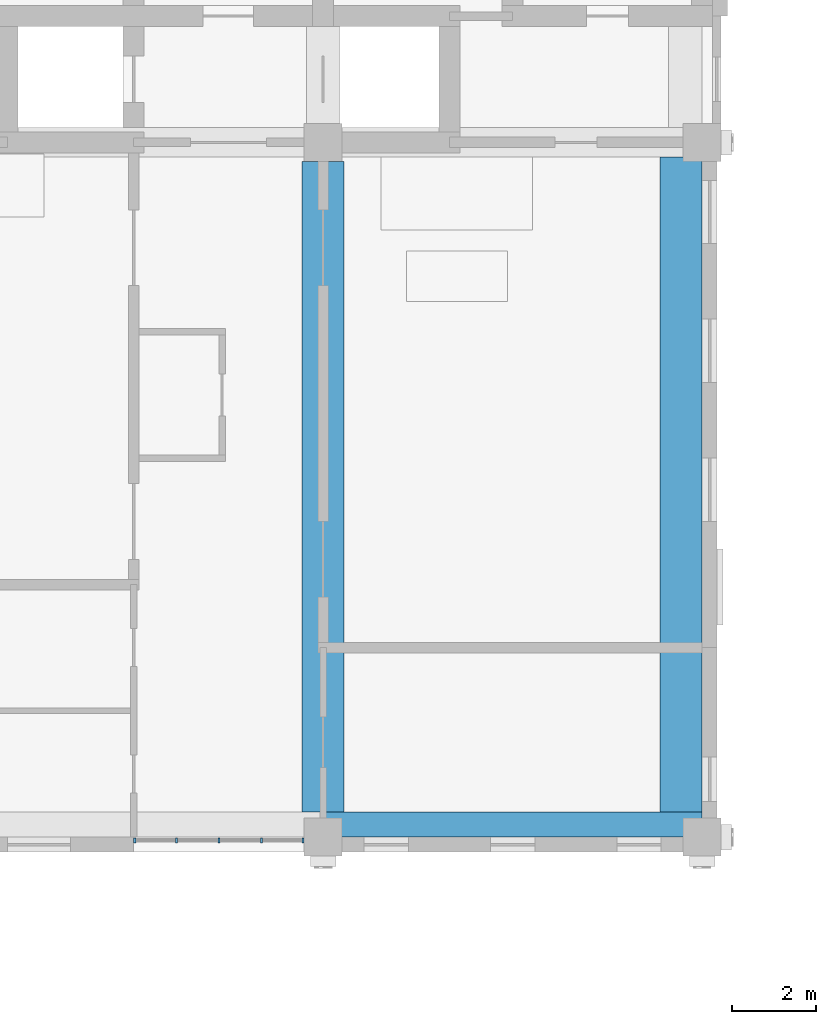
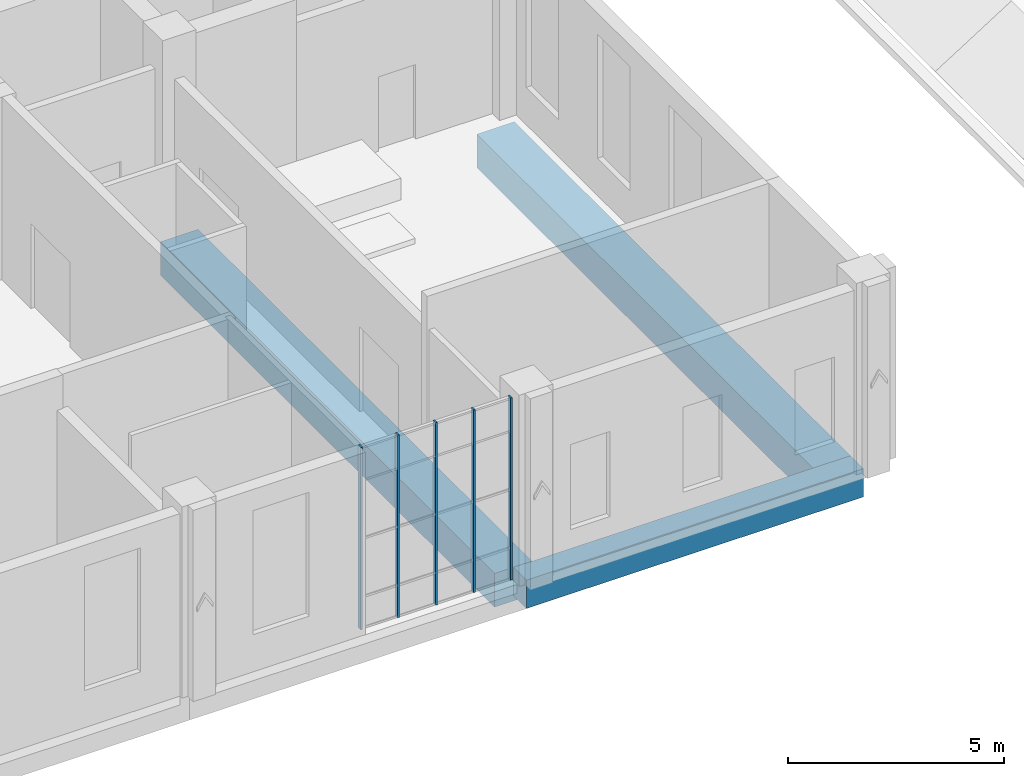
# One storey, part 4 of 25: 5 members, 3 beams, 1 element without a shape of its own.
"""IFC4 building model written with IfcOpenShell, lengths in metres."""

from ifc_helpers import new_model, si_unit, direction, frame, origin, origin_2d, place, context, subcontext, project, spatial, rectangle, extrude, material, layer, layer_set, material_profile, profile_set, type_object, element, aggregate, save


model = new_model("IFC4")

# Units and contexts
model_context = context("Model", 3, precision=1e-05, world=origin(), true_north=direction((0.0, 1.0)))
body_context = subcontext(model_context, "Body", "Model", "MODEL_VIEW")
ifc_project = project(units=[si_unit("LENGTHUNIT", "METRE"), si_unit("AREAUNIT", "SQUARE_METRE"), si_unit("VOLUMEUNIT", "CUBIC_METRE"), si_unit("PLANEANGLEUNIT", "RADIAN"), si_unit("MASSUNIT", "GRAM", prefix="KILO")], contexts=[model_context])

# Site, building, storey
site_placement = place(None, origin())
site = spatial("IfcSite", under=ifc_project, at=site_placement, CompositionType="ELEMENT")
building_placement = place(site_placement, origin())
building = spatial("IfcBuilding", under=site, at=building_placement, Name="Aurelan Courthouse", CompositionType="ELEMENT")
storey_placement = place(building_placement, frame((0.0, 0.0, 33.60009765625)))
storey = spatial("IfcBuildingStorey", under=building, at=storey_placement, Name="L06", CompositionType="ELEMENT", Elevation=33.60009765625)

# Curtain wall, members
ifc_material_1 = material(Name="Bronze-finished aluminium and glass", Category="aluminium")
ifc_layer = layer(ifc_material_1, 0.14990234375)
ifc_layer_set = layer_set([ifc_layer], Name="Bronze-finished aluminium and glass")
curtain_wall_type = type_object("IfcCurtainWallType", Name="Curtain wall 4050 x 5150", PredefinedType="NOTDEFINED", material=ifc_layer_set)
curtain_wall_placement = place(storey_placement, origin())
curtain_wall = element("IfcCurtainWall", 1, at=curtain_wall_placement, inside=storey, type_object=curtain_wall_type, Name="Curtain wall CW-V2-L06-S01", PredefinedType="NOTDEFINED")
ifc_material_2 = material(Name="Bronze-finished aluminium", Category="aluminium")
ifc_material_profile_1 = material_profile(ifc_material_2, rectangle(XDim=0.1201171875, YDim=0.050048828125, at=origin_2d()), Name="Bronze mullion 50 x 120")
ifc_profile_set_1 = profile_set([ifc_material_profile_1], Name="Bronze-finished aluminium")
member_type = type_object("IfcMemberType", Name="Curtain wall mullion 50 x 120", PredefinedType="MULLION", material=ifc_profile_set_1)
member_1_placement = place(storey_placement, frame((49.52490234375, 37.425048828125, 0.0), z_axis=(0.0, 0.0, 1.0), x_axis=(0.0, 1.0, 0.0)))
member_1 = element("IfcMember", 2, at=member_1_placement, type_object=member_type, Name="CW-V2-L06-S01 mullion 1", PredefinedType="MULLION", context=body_context, shape_type="SweptSolid", body=[
    extrude(rectangle(XDim=0.1201171875, YDim=0.050048828125, at=origin_2d()), origin(), (0.0, 0.0, 1.0), 5.14990234375),
])
member_2_placement = place(storey_placement, frame((50.512451171875, 37.425048828125, 0.0), z_axis=(0.0, 0.0, 1.0), x_axis=(0.0, 1.0, 0.0)))
member_2 = element("IfcMember", 3, at=member_2_placement, type_object=member_type, Name="CW-V2-L06-S01 mullion 2", PredefinedType="MULLION", context=body_context, shape_type="SweptSolid", body=[
    extrude(rectangle(XDim=0.1201171875, YDim=0.050048828125, at=origin_2d()), origin(), (0.0, 0.0, 1.0), 5.14990234375),
])
member_3_placement = place(storey_placement, frame((51.52490234375, 37.425048828125, 0.0), z_axis=(0.0, 0.0, 1.0), x_axis=(0.0, 1.0, 0.0)))
member_3 = element("IfcMember", 4, at=member_3_placement, type_object=member_type, Name="CW-V2-L06-S01 mullion 3", PredefinedType="MULLION", context=body_context, shape_type="SweptSolid", body=[
    extrude(rectangle(XDim=0.1201171875, YDim=0.050048828125, at=origin_2d()), origin(), (0.0, 0.0, 1.0), 5.14990234375),
])
member_4_placement = place(storey_placement, frame((52.53759765625, 37.425048828125, 0.0), z_axis=(0.0, 0.0, 1.0), x_axis=(0.0, 1.0, 0.0)))
member_4 = element("IfcMember", 5, at=member_4_placement, type_object=member_type, Name="CW-V2-L06-S01 mullion 4", PredefinedType="MULLION", context=body_context, shape_type="SweptSolid", body=[
    extrude(rectangle(XDim=0.1201171875, YDim=0.050048828125, at=origin_2d()), origin(), (0.0, 0.0, 1.0), 5.14990234375),
])
member_5_placement = place(storey_placement, frame((53.52490234375, 37.425048828125, 0.0), z_axis=(0.0, 0.0, 1.0), x_axis=(0.0, 1.0, 0.0)))
member_5 = element("IfcMember", 6, at=member_5_placement, type_object=member_type, Name="CW-V2-L06-S01 mullion 5", PredefinedType="MULLION", context=body_context, shape_type="SweptSolid", body=[
    extrude(rectangle(XDim=0.1201171875, YDim=0.050048828125, at=origin_2d()), origin(), (0.0, 0.0, 1.0), 5.14990234375),
])
aggregate(curtain_wall, [member_1, member_2, member_3, member_4, member_5])

# Beams
ifc_material_3 = material(Name="Concrete C50", Category="concrete")
ifc_material_profile_2 = material_profile(ifc_material_3, rectangle(XDim=1.0, YDim=0.949951171875, at=origin_2d()), Name="RC 1000 x 950")
ifc_profile_set_2 = profile_set([ifc_material_profile_2], Name="Concrete C50")
beam_type_1 = type_object("IfcBeamType", Name="PT girder 1000 x 950", PredefinedType="BEAM", material=ifc_profile_set_2)
beam_1_placement = place(storey_placement, frame((54.0, 38.10009765625, -0.72509765625), z_axis=(0.0, 1.0, 0.0), x_axis=(-1.0, 0.0, 0.0)))
element("IfcBeam", 7, at=beam_1_placement, inside=storey, type_object=beam_type_1, Name="Girder GB-7DE", PredefinedType="BEAM", context=body_context, shape_type="SweptSolid", body=[
    extrude(rectangle(XDim=1.0, YDim=0.949951171875, at=origin_2d()), origin(), (0.0, 0.0, 1.0), 15.449951171875),
])
beam_2_placement = place(storey_placement, frame((62.5, 38.10009765625, -0.72509765625), z_axis=(0.0, 1.0, 0.0), x_axis=(-1.0, 0.0, 0.0)))
element("IfcBeam", 8, at=beam_2_placement, inside=storey, type_object=beam_type_1, Name="Girder GB-8DE-E", PredefinedType="BEAM", context=body_context, shape_type="SweptSolid", body=[
    extrude(rectangle(XDim=1.0, YDim=0.949951171875, at=origin_2d()), origin(), (0.0, 0.0, 1.0), 15.5498046875),
])
ifc_material_profile_3 = material_profile(ifc_material_3, rectangle(XDim=0.60009765625, YDim=0.800048828125, at=origin_2d()), Name="RC 600 x 800")
ifc_profile_set_3 = profile_set([ifc_material_profile_3], Name="Concrete C50")
beam_type_2 = type_object("IfcBeamType", Name="RC spandrel beam 600 x 800", PredefinedType="SPANDREL", material=ifc_profile_set_3)
beam_3_placement = place(storey_placement, frame((54.0, 37.800048828125, -0.650146484375), z_axis=(1.0, 0.0, 0.0), x_axis=(0.0, 1.0, 0.0)))
element("IfcBeam", 9, at=beam_3_placement, inside=storey, type_object=beam_type_2, Name="Spandrel beam SB-D-7-8", PredefinedType="SPANDREL", context=body_context, shape_type="SweptSolid", body=[
    extrude(rectangle(XDim=0.60009765625, YDim=0.800048828125, at=origin_2d()), origin(), (0.0, 0.0, 1.0), 9.0),
])

save(model, "model.ifc")
